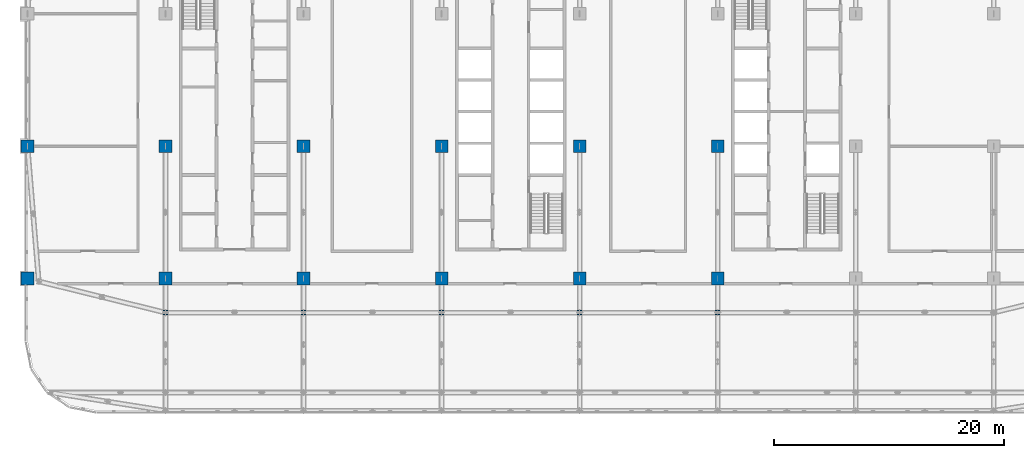
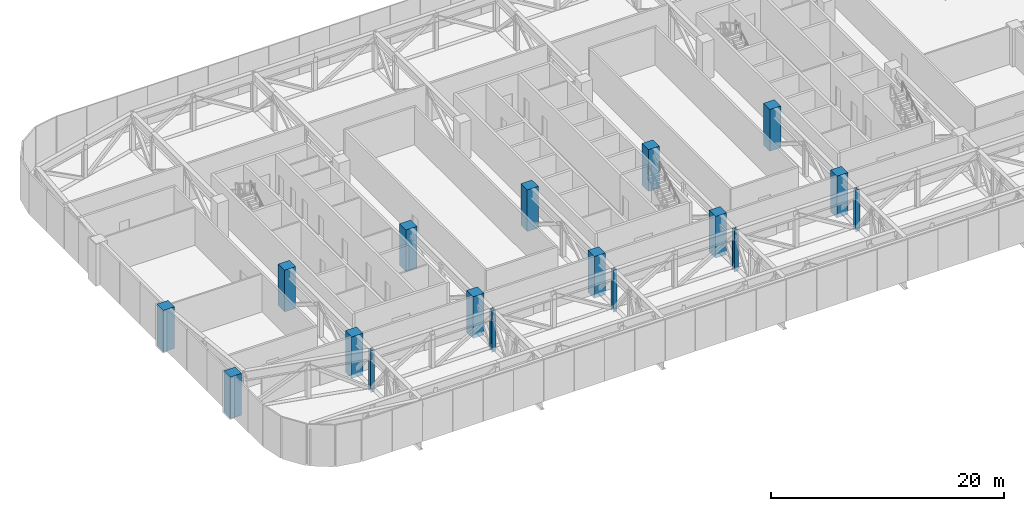
# One storey, part 1 of 28: 17 columns.
"""IFC4 building model written with IfcOpenShell, lengths in metres."""

from ifc_helpers import new_model, si_unit, direction, frame, origin, origin_2d, place, context, subcontext, project, spatial, rectangle, i_section, extrude, material, material_profile, profile_set, type_object, element, save


model = new_model("IFC4")

# Units and contexts
model_context = context("Model", 3, precision=1e-05, world=origin(), true_north=direction((0.0, 1.0)))
body_context = subcontext(model_context, "Body", "Model", "MODEL_VIEW")
ifc_project = project(units=[si_unit("LENGTHUNIT", "METRE"), si_unit("AREAUNIT", "SQUARE_METRE"), si_unit("VOLUMEUNIT", "CUBIC_METRE"), si_unit("PLANEANGLEUNIT", "RADIAN"), si_unit("MASSUNIT", "GRAM", prefix="KILO")], contexts=[model_context])

# Site, building, storey
site_placement = place(None, origin())
site = spatial("IfcSite", under=ifc_project, at=site_placement, CompositionType="ELEMENT")
building_placement = place(site_placement, origin())
building = spatial("IfcBuilding", under=site, at=building_placement, Name="Mahtab Terrace Research Tower", CompositionType="ELEMENT")
storey_placement = place(building_placement, frame((0.0, 0.0, 224.300048828125)))
storey = spatial("IfcBuildingStorey", under=building, at=storey_placement, Name="L54", CompositionType="ELEMENT", Elevation=224.300048828125)

# Columns
ifc_material_1 = material(Name="Concrete C70/85", Category="concrete")
ifc_material_profile_1 = material_profile(ifc_material_1, rectangle(XDim=1.10009765625, YDim=1.10009765625, at=origin_2d()), Name="RC column 1100x1100")
ifc_profile_set_1 = profile_set([ifc_material_profile_1], Name="Concrete C70/85")
column_type_1 = type_object("IfcColumnType", Name="RC column 1100x1100", PredefinedType="COLUMN", material=ifc_profile_set_1)
for number, where, z_axis, x_axis, name in (
    (1, (-42.0, -11.5, -0.400146484375), (0.0, 0.0, 1.0), (1.0, 0.0, 0.0), "Column RC-1A L54"),
    (2, (-42.0, 0.0, -0.400146484375), (0.0, 0.0, 1.0), (1.0, 0.0, 0.0), "Column RC-1B L54"),
    (3, (-30.0, -11.5, -0.400146484375), (0.0, 0.0, 1.0), (1.0, 0.0, 0.0), "Column RC-2A L54"),
    (4, (-30.0, 0.0, -0.400146484375), (0.0, 0.0, 1.0), (1.0, 0.0, 0.0), "Column RC-2B L54"),
    (5, (-18.0, -11.5, -0.400146484375), (0.0, 0.0, 1.0), (1.0, 0.0, 0.0), "Column RC-3A L54"),
    (6, (-18.0, 0.0, -0.400146484375), (0.0, 0.0, 1.0), (1.0, 0.0, 0.0), "Column RC-3B L54"),
    (7, (-6.0, -11.5, -0.400146484375), (0.0, 0.0, 1.0), (1.0, 0.0, 0.0), "Column RC-4A L54"),
    (8, (-6.0, 0.0, -0.400146484375), (0.0, 0.0, 1.0), (1.0, 0.0, 0.0), "Column RC-4B L54"),
    (9, (6.0, -11.5, -0.400146484375), (0.0, 0.0, 1.0), (1.0, 0.0, 0.0), "Column RC-5A L54"),
    (10, (6.0, 0.0, -0.400146484375), (0.0, 0.0, 1.0), (1.0, 0.0, 0.0), "Column RC-5B L54"),
    (11, (18.0, -11.5, -0.400146484375), (0.0, 0.0, 1.0), (1.0, 0.0, 0.0), "Column RC-6A L54"),
    (12, (18.0, 0.0, -0.400146484375), (0.0, 0.0, 1.0), (1.0, 0.0, 0.0), "Column RC-6B L54"),
):
    element("IfcColumn", number, at=place(storey_placement, frame(where, z_axis=z_axis, x_axis=x_axis)), inside=storey, type_object=column_type_1, Name=name, PredefinedType="COLUMN", context=body_context, shape_type="SweptSolid", body=[
        extrude(rectangle(XDim=1.10009765625, YDim=1.10009765625, at=origin_2d()), origin(), (0.0, 0.0, 1.0), 4.360107421875),
    ])
ifc_material_2 = material(Name="Steel ASTM A992 Gr 50", Category="steel")
ifc_material_profile_2 = material_profile(ifc_material_2, i_section(OverallWidth=0.398681640625, OverallDepth=0.385986328125, WebThickness=0.02099609375, FlangeThickness=0.033203125, at=origin_2d()), Name="W14X176")
ifc_profile_set_2 = profile_set([ifc_material_profile_2], Name="Steel ASTM A992 Gr 50")
column_type_2 = type_object("IfcColumnType", Name="W14x176 column CS14176", PredefinedType="COLUMN", material=ifc_profile_set_2)
for number, where, z_axis, x_axis, name in (
    (13, (-30.0, -14.472900390625, -0.400146484375), (0.0, 0.0, 1.0), (1.0, 0.0, 0.0), "Column SC-062 L54"),
    (14, (-18.0, -14.472900390625, -0.400146484375), (0.0, 0.0, 1.0), (1.0, 0.0, 0.0), "Column SC-063 L54"),
    (15, (-6.0, -14.472900390625, -0.400146484375), (0.0, 0.0, 1.0), (1.0, 0.0, 0.0), "Column SC-064 L54"),
    (16, (6.0, -14.472900390625, -0.400146484375), (0.0, 0.0, 1.0), (1.0, 0.0, 0.0), "Column SC-065 L54"),
    (17, (18.0, -14.472900390625, -0.400146484375), (0.0, 0.0, 1.0), (1.0, 0.0, 0.0), "Column SC-066 L54"),
):
    element("IfcColumn", number, at=place(storey_placement, frame(where, z_axis=z_axis, x_axis=x_axis)), inside=storey, type_object=column_type_2, Name=name, PredefinedType="COLUMN", context=body_context, shape_type="SweptSolid", body=[
        extrude(i_section(OverallWidth=0.398681640625, OverallDepth=0.385986328125, WebThickness=0.02099609375, FlangeThickness=0.033203125, at=origin_2d()), origin(), (0.0, 0.0, 1.0), 4.360107421875),
    ])

save(model, "model.ifc")
